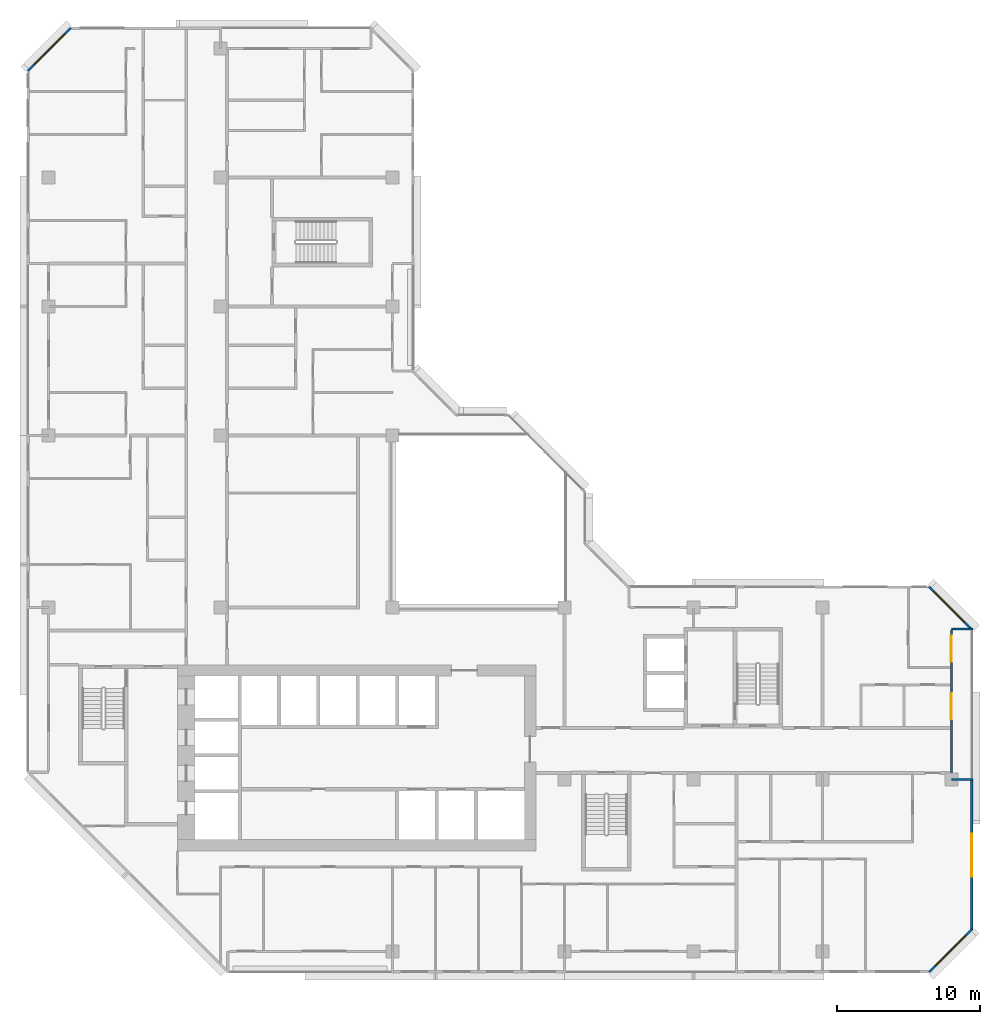
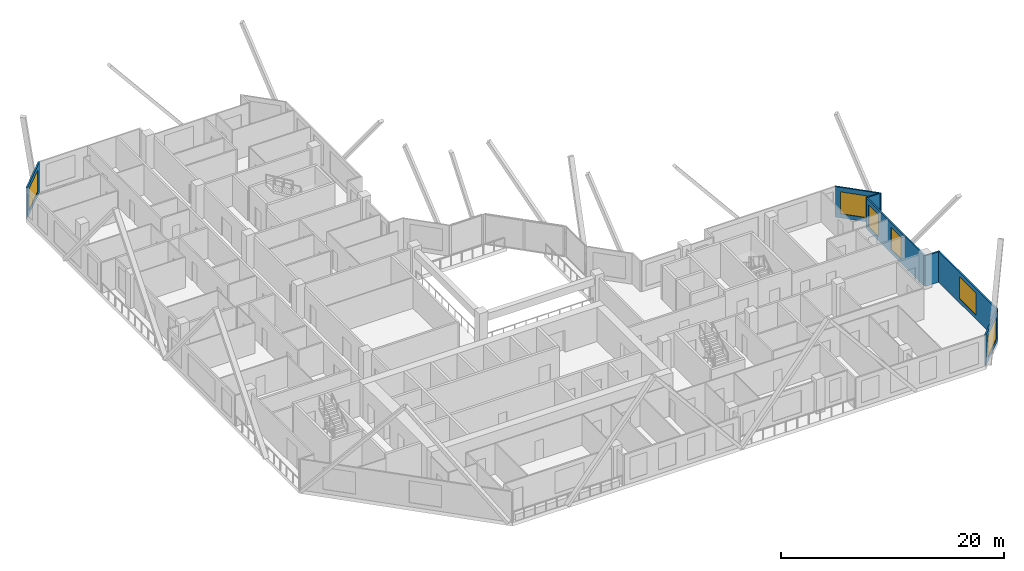
# One storey, part 12 of 15: 7 walls, 6 windows, 6 openings.
"""IFC4 building model written with IfcOpenShell, lengths in metres."""

from ifc_helpers import new_model, si_unit, direction, frame, frame_2d, origin, place, context, subcontext, project, spatial, rectangle, extrude, material, layer, layer_set, type_object, element, fill, save


model = new_model("IFC4")

# Units and contexts
model_context = context("Model", 3, precision=1e-05, world=origin(), true_north=direction((0.0, 1.0)))
body_context = subcontext(model_context, "Body", "Model", "MODEL_VIEW")
ifc_project = project(units=[si_unit("LENGTHUNIT", "METRE"), si_unit("AREAUNIT", "SQUARE_METRE"), si_unit("VOLUMEUNIT", "CUBIC_METRE"), si_unit("PLANEANGLEUNIT", "RADIAN"), si_unit("MASSUNIT", "GRAM", prefix="KILO")], contexts=[model_context])

# Site, building, storey
site_placement = place(None, origin())
site = spatial("IfcSite", under=ifc_project, at=site_placement, CompositionType="ELEMENT")
building_placement = place(site_placement, origin())
building = spatial("IfcBuilding", under=site, at=building_placement, Name="Chenar Terraces", CompositionType="ELEMENT")
storey_placement = place(building_placement, frame((0.0, 0.0, 194.89990234375)))
storey = spatial("IfcBuildingStorey", under=building, at=storey_placement, Name="L45", CompositionType="ELEMENT", Elevation=194.89990234375)

# Wall, opening, window
ifc_material_1 = material(Name="Aluminium framed glazing", Category="aluminium")
ifc_layer_1 = layer(ifc_material_1, 0.14990234375)
ifc_layer_set_1 = layer_set([ifc_layer_1], Name="Aluminium framed glazing")
wall_type_1 = type_object("IfcWallType", Name="Glazed flush facade wall 150", PredefinedType="SOLIDWALL", material=ifc_layer_set_1)
wall_1_placement = place(storey_placement, frame((64.425048828125, 1.5, 0.0), z_axis=(0.0, 0.0, 1.0), x_axis=(0.0, 1.0, 0.0)))
wall_1 = element("IfcWall", 1, at=wall_1_placement, inside=storey, type_object=wall_type_1, Name="Glazed flush facade wall", PredefinedType="SOLIDWALL", context=body_context, shape_type="SweptSolid", body=[
    extrude(rectangle(XDim=10.425048828125, YDim=0.14990234375, at=frame_2d((5.21240234375, 0.0))), origin(), (0.0, 0.0, 1.0), 3.35009765625),
])
opening_1_placement = place(wall_1_placement, frame((3.71240234375, 0.0, 0.449951171875)))
opening_1 = element("IfcOpeningElement", 2, at=opening_1_placement, cuts=wall_1, Name="Opening W300x240", PredefinedType="OPENING", context=body_context, shape_type="SweptSolid", body=[
    extrude(rectangle(XDim=3.0, YDim=2.39990234375, at=frame_2d((1.5, 1.199951171875))), frame((0.0, 0.0849609375, 0.0), z_axis=(0.0, -1.0, 0.0), x_axis=(1.0, 0.0, 0.0)), (0.0, 0.0, 1.0), 0.169921875),
])
ifc_material_2 = material(Name="Low emissivity double glazing, aluminium frame", Category="aluminium")
window_type_1 = type_object("IfcWindowType", Name="Fixed light 3000 x 2400", PartitioningType="SINGLE_PANEL", PredefinedType="WINDOW", material=ifc_material_2)
window_1_placement = place(opening_1_placement, origin())
window_1 = element("IfcWindow", 3, at=window_1_placement, inside=storey, type_object=window_type_1, Name="Window", OverallHeight=2.39990234375, OverallWidth=3.0, PartitioningType="SINGLE_PANEL", PredefinedType="WINDOW", context=body_context, shape_type="SweptSolid", body=[
    extrude(rectangle(XDim=3.0, YDim=2.39990234375, at=frame_2d((1.5, 1.199951171875))), frame((0.0, 0.030029296875, 0.0), z_axis=(0.0, -1.0, 0.0), x_axis=(1.0, 0.0, 0.0)), (0.0, 0.0, 1.0), 0.06005859375),
])
fill(opening_1, window_1)

# Wall, openings, windows
ifc_material_3 = material(Name="Aluminium framed glazing", Category="aluminium")
ifc_layer_2 = layer(ifc_material_3, 0.14990234375)
ifc_layer_set_2 = layer_set([ifc_layer_2], Name="Aluminium framed glazing")
wall_type_2 = type_object("IfcWallType", Name="Glazed loggia back wall 150", PredefinedType="SOLIDWALL", material=ifc_layer_set_2)
wall_2_placement = place(storey_placement, frame((63.0, 12.074951171875, 0.0), z_axis=(0.0, 0.0, 1.0), x_axis=(0.0, 1.0, 0.0)))
wall_2 = element("IfcWall", 4, at=wall_2_placement, inside=storey, type_object=wall_type_2, Name="Glazed loggia back wall", PredefinedType="SOLIDWALL", context=body_context, shape_type="SweptSolid", body=[
    extrude(rectangle(XDim=10.35009765625, YDim=0.14990234375, at=frame_2d((5.175048828125, 0.0))), origin(), (0.0, 0.0, 1.0), 3.35009765625),
])
opening_2_placement = place(wall_2_placement, frame((4.125, 0.0, 0.449951171875)))
opening_2 = element("IfcOpeningElement", 5, at=opening_2_placement, cuts=wall_2, Name="Opening W180x240", PredefinedType="OPENING", context=body_context, shape_type="SweptSolid", body=[
    extrude(rectangle(XDim=1.800048828125, YDim=2.39990234375, at=frame_2d((0.89990234375, 1.199951171875))), frame((0.0, 0.0849609375, 0.0), z_axis=(0.0, -1.0, 0.0), x_axis=(1.0, 0.0, 0.0)), (0.0, 0.0, 1.0), 0.169921875),
])
opening_3_placement = place(wall_2_placement, frame((8.137451171875, 0.0, 0.449951171875)))
opening_3 = element("IfcOpeningElement", 6, at=opening_3_placement, cuts=wall_2, Name="Opening W180x240", PredefinedType="OPENING", context=body_context, shape_type="SweptSolid", body=[
    extrude(rectangle(XDim=1.800048828125, YDim=2.39990234375, at=frame_2d((0.89990234375, 1.199951171875))), frame((0.0, 0.0849609375, 0.0), z_axis=(0.0, -1.0, 0.0), x_axis=(1.0, 0.0, 0.0)), (0.0, 0.0, 1.0), 0.169921875),
])
ifc_material_4 = material(Name="Low emissivity double glazing, aluminium frame", Category="aluminium")
window_type_2 = type_object("IfcWindowType", Name="Fixed light 1800 x 2400", PartitioningType="SINGLE_PANEL", PredefinedType="WINDOW", material=ifc_material_4)
window_2_placement = place(opening_2_placement, origin())
window_2 = element("IfcWindow", 7, at=window_2_placement, inside=storey, type_object=window_type_2, Name="Window", OverallHeight=2.39990234375, OverallWidth=1.800048828125, PartitioningType="SINGLE_PANEL", PredefinedType="WINDOW", context=body_context, shape_type="SweptSolid", body=[
    extrude(rectangle(XDim=1.800048828125, YDim=2.39990234375, at=frame_2d((0.89990234375, 1.199951171875))), frame((0.0, 0.030029296875, 0.0), z_axis=(0.0, -1.0, 0.0), x_axis=(1.0, 0.0, 0.0)), (0.0, 0.0, 1.0), 0.06005859375),
])
fill(opening_2, window_2)
window_3_placement = place(opening_3_placement, origin())
window_3 = element("IfcWindow", 8, at=window_3_placement, inside=storey, type_object=window_type_2, Name="Window", OverallHeight=2.39990234375, OverallWidth=1.800048828125, PartitioningType="SINGLE_PANEL", PredefinedType="WINDOW", context=body_context, shape_type="SweptSolid", body=[
    extrude(rectangle(XDim=1.800048828125, YDim=2.39990234375, at=frame_2d((0.89990234375, 1.199951171875))), frame((0.0, 0.030029296875, 0.0), z_axis=(0.0, -1.0, 0.0), x_axis=(1.0, 0.0, 0.0)), (0.0, 0.0, 1.0), 0.06005859375),
])
fill(opening_3, window_3)

# Walls
ifc_material_5 = material(Name="Terracotta cladding on insulated backing", Category="masonry")
ifc_layer_3 = layer(ifc_material_5, 0.14990234375)
ifc_layer_set_3 = layer_set([ifc_layer_3], Name="Terracotta cladding on insulated backing")
wall_type_3 = type_object("IfcWallType", Name="Loggia return wall 150", PredefinedType="SOLIDWALL", material=ifc_layer_set_3)
for number, where, z_axis, x_axis, name in (
    (9, (64.5, 12.0, 0.0), (0.0, 0.0, 1.0), (-1.0, 0.0, 0.0), "Loggia return wall"),
    (10, (64.5, 22.5, 0.0), (0.0, 0.0, 1.0), (-1.0, 0.0, 0.0), "Loggia return wall"),
):
    element("IfcWall", number, at=place(storey_placement, frame(where, z_axis=z_axis, x_axis=x_axis)), inside=storey, type_object=wall_type_3, Name=name, PredefinedType="SOLIDWALL", context=body_context, shape_type="SweptSolid", body=[
        extrude(rectangle(XDim=1.5, YDim=0.14990234375, at=frame_2d((0.75, 0.0))), origin(), (0.0, 0.0, 1.0), 3.35009765625),
    ])

# Wall, opening, window
ifc_material_6 = material(Name="Terracotta cladding on insulated backing", Category="masonry")
ifc_layer_4 = layer(ifc_material_6, 0.14990234375)
ifc_layer_set_4 = layer_set([ifc_layer_4], Name="Terracotta cladding on insulated backing")
wall_type_4 = type_object("IfcWallType", Name="Terracotta rainscreen wall 150", PredefinedType="SOLIDWALL", material=ifc_layer_set_4)
wall_3_placement = place(storey_placement, frame((1.552978515625, 64.447021484375, 0.0), z_axis=(0.0, 0.0, 1.0), x_axis=(-0.707106781187, -0.707106781187, 0.0)))
wall_3 = element("IfcWall", 11, at=wall_3_placement, inside=storey, type_object=wall_type_4, Name="Terracotta rainscreen wall", PredefinedType="SOLIDWALL", context=body_context, shape_type="SweptSolid", body=[
    extrude(rectangle(XDim=4.24267578125, YDim=0.14990234375, at=frame_2d((2.121337890625, 0.0))), origin(), (0.0, 0.0, 1.0), 3.35009765625),
])
opening_4_placement = place(wall_3_placement, frame((0.621337890625, 0.0, 0.449951171875)))
opening_4 = element("IfcOpeningElement", 12, at=opening_4_placement, cuts=wall_3, Name="Opening W300x240", PredefinedType="OPENING", context=body_context, shape_type="SweptSolid", body=[
    extrude(rectangle(XDim=3.0, YDim=2.39990234375, at=frame_2d((1.5, 1.199951171875))), frame((0.0, 0.0849609375, 0.0), z_axis=(0.0, -1.0, 0.0), x_axis=(1.0, 0.0, 0.0)), (0.0, 0.0, 1.0), 0.169921875),
])
window_4_placement = place(opening_4_placement, origin())
window_4 = element("IfcWindow", 13, at=window_4_placement, inside=storey, type_object=window_type_1, Name="Window", OverallHeight=2.39990234375, OverallWidth=3.0, PartitioningType="SINGLE_PANEL", PredefinedType="WINDOW", context=body_context, shape_type="SweptSolid", body=[
    extrude(rectangle(XDim=3.0, YDim=2.39990234375, at=frame_2d((1.5, 1.199951171875))), frame((0.0, 0.030029296875, 0.0), z_axis=(0.0, -1.0, 0.0), x_axis=(1.0, 0.0, 0.0)), (0.0, 0.0, 1.0), 0.06005859375),
])
fill(opening_4, window_4)

wall_4_placement = place(storey_placement, frame((61.447021484375, -1.447021484375, 0.0), z_axis=(0.0, 0.0, 1.0), x_axis=(0.707106781187, 0.707106781187, 0.0)))
wall_4 = element("IfcWall", 14, at=wall_4_placement, inside=storey, type_object=wall_type_4, Name="Terracotta rainscreen wall", PredefinedType="SOLIDWALL", context=body_context, shape_type="SweptSolid", body=[
    extrude(rectangle(XDim=4.24267578125, YDim=0.14990234375, at=frame_2d((2.121337890625, 0.0))), origin(), (0.0, 0.0, 1.0), 3.35009765625),
])
opening_5_placement = place(wall_4_placement, frame((0.621337890625, 0.0, 0.449951171875)))
opening_5 = element("IfcOpeningElement", 15, at=opening_5_placement, cuts=wall_4, Name="Opening W300x240", PredefinedType="OPENING", context=body_context, shape_type="SweptSolid", body=[
    extrude(rectangle(XDim=3.0, YDim=2.39990234375, at=frame_2d((1.5, 1.199951171875))), frame((0.0, 0.0849609375, 0.0), z_axis=(0.0, -1.0, 0.0), x_axis=(1.0, 0.0, 0.0)), (0.0, 0.0, 1.0), 0.169921875),
])
window_5_placement = place(opening_5_placement, origin())
window_5 = element("IfcWindow", 16, at=window_5_placement, inside=storey, type_object=window_type_1, Name="Window", OverallHeight=2.39990234375, OverallWidth=3.0, PartitioningType="SINGLE_PANEL", PredefinedType="WINDOW", context=body_context, shape_type="SweptSolid", body=[
    extrude(rectangle(XDim=3.0, YDim=2.39990234375, at=frame_2d((1.5, 1.199951171875))), frame((0.0, 0.030029296875, 0.0), z_axis=(0.0, -1.0, 0.0), x_axis=(1.0, 0.0, 0.0)), (0.0, 0.0, 1.0), 0.06005859375),
])
fill(opening_5, window_5)

wall_5_placement = place(storey_placement, frame((64.447021484375, 22.447021484375, 0.0), z_axis=(0.0, 0.0, 1.0), x_axis=(-0.707106781187, 0.707106781187, 0.0)))
wall_5 = element("IfcWall", 17, at=wall_5_placement, inside=storey, type_object=wall_type_4, Name="Terracotta rainscreen wall", PredefinedType="SOLIDWALL", context=body_context, shape_type="SweptSolid", body=[
    extrude(rectangle(XDim=4.24267578125, YDim=0.14990234375, at=frame_2d((2.121337890625, 0.0))), origin(), (0.0, 0.0, 1.0), 3.35009765625),
])
opening_6_placement = place(wall_5_placement, frame((0.744384765625, 0.0, 0.449951171875)))
opening_6 = element("IfcOpeningElement", 18, at=opening_6_placement, cuts=wall_5, Name="Opening W300x240", PredefinedType="OPENING", context=body_context, shape_type="SweptSolid", body=[
    extrude(rectangle(XDim=3.0, YDim=2.39990234375, at=frame_2d((1.5, 1.199951171875))), frame((0.0, 0.0849609375, 0.0), z_axis=(0.0, -1.0, 0.0), x_axis=(1.0, 0.0, 0.0)), (0.0, 0.0, 1.0), 0.169921875),
])
window_6_placement = place(opening_6_placement, origin())
window_6 = element("IfcWindow", 19, at=window_6_placement, inside=storey, type_object=window_type_1, Name="Window", OverallHeight=2.39990234375, OverallWidth=3.0, PartitioningType="SINGLE_PANEL", PredefinedType="WINDOW", context=body_context, shape_type="SweptSolid", body=[
    extrude(rectangle(XDim=3.0, YDim=2.39990234375, at=frame_2d((1.5, 1.199951171875))), frame((0.0, 0.030029296875, 0.0), z_axis=(0.0, -1.0, 0.0), x_axis=(1.0, 0.0, 0.0)), (0.0, 0.0, 1.0), 0.06005859375),
])
fill(opening_6, window_6)

save(model, "model.ifc")
